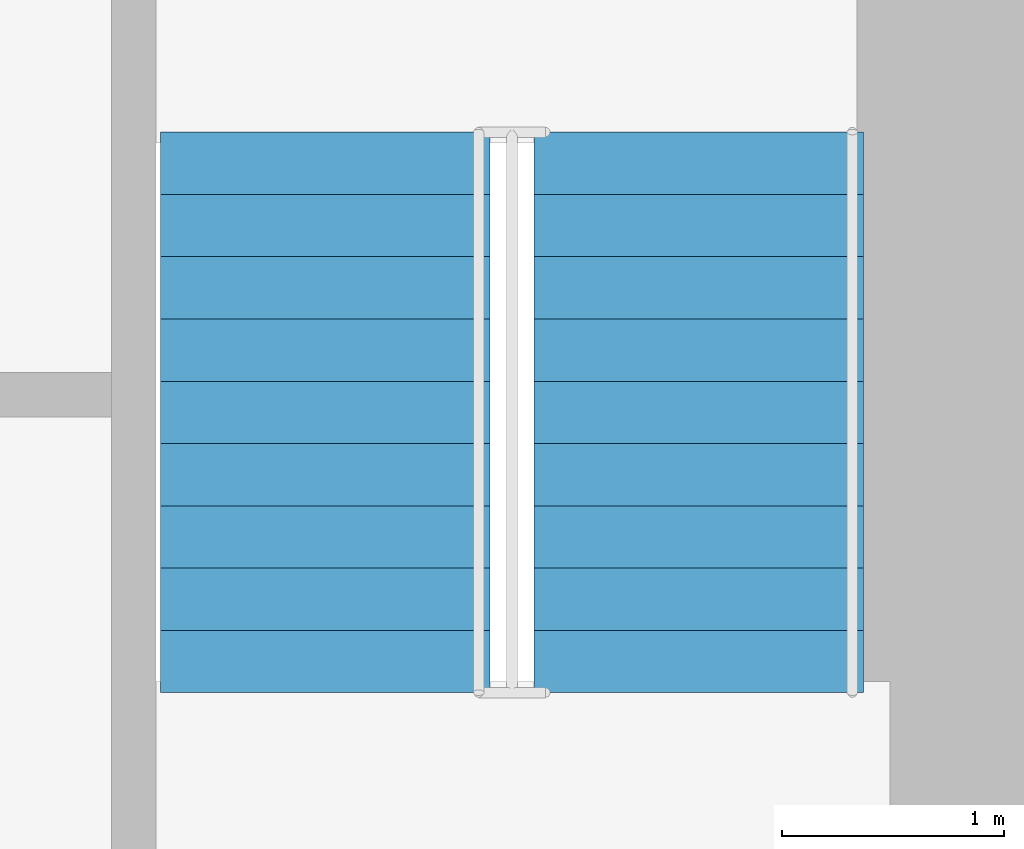
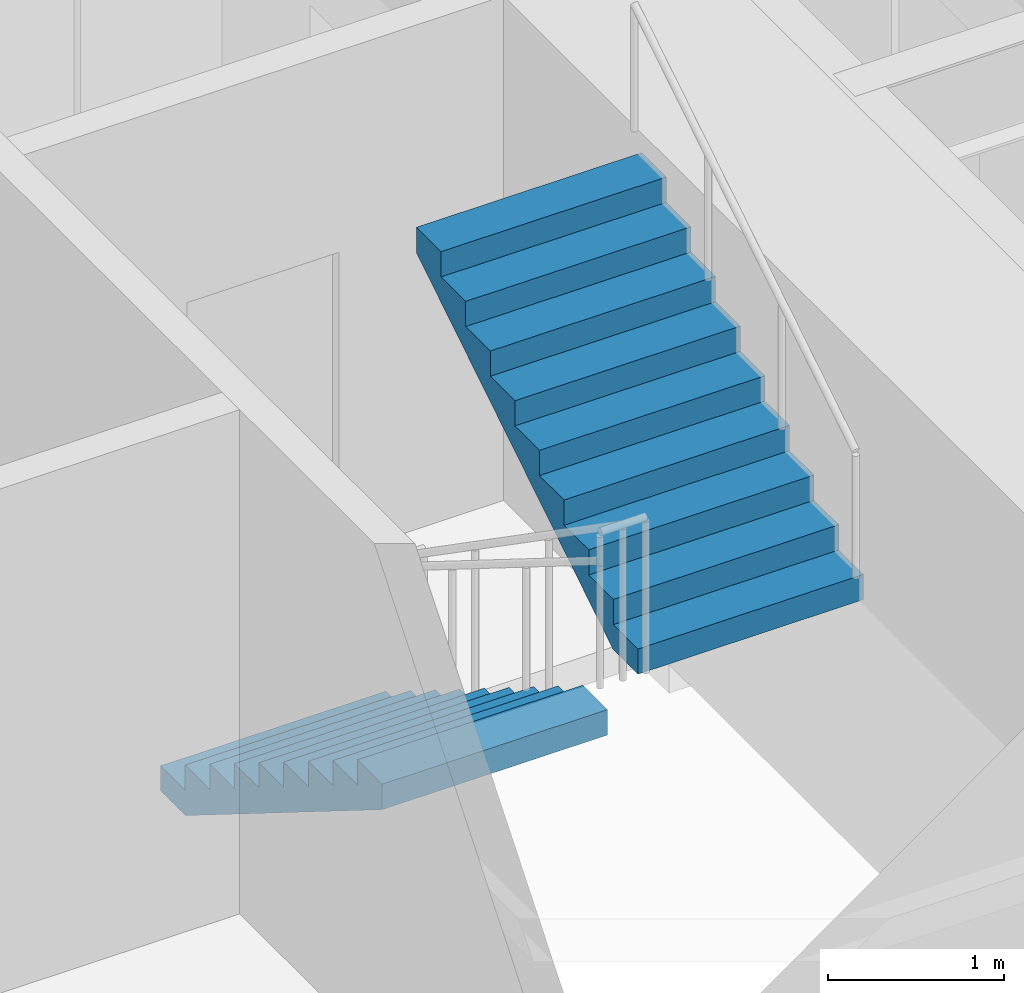
# One storey, part 9 of 12: 2 stair flights, 1 element without a shape of its own.
"""IFC4 building model written with IfcOpenShell, lengths in metres."""

from ifc_helpers import new_model, si_unit, direction, frame, origin, place, context, subcontext, project, spatial, polyline, outline, extrude, material, constituent, constituent_set, type_object, element, aggregate, save


model = new_model("IFC4")

# Units and contexts
model_context = context("Model", 3, precision=1e-05, world=origin(), true_north=direction((0.0, 1.0)))
body_context = subcontext(model_context, "Body", "Model", "MODEL_VIEW")
ifc_project = project(units=[si_unit("LENGTHUNIT", "METRE"), si_unit("AREAUNIT", "SQUARE_METRE"), si_unit("VOLUMEUNIT", "CUBIC_METRE"), si_unit("PLANEANGLEUNIT", "RADIAN"), si_unit("MASSUNIT", "GRAM", prefix="KILO")], contexts=[model_context])

# Site, building, storey
site_placement = place(None, origin())
site = spatial("IfcSite", under=ifc_project, at=site_placement, CompositionType="ELEMENT")
building_placement = place(site_placement, origin())
building = spatial("IfcBuilding", under=site, at=building_placement, Name="Iwan Alto Co-Living Towers", CompositionType="ELEMENT")
storey_placement = place(building_placement, frame((0.0, 0.0, 153.0)))
storey = spatial("IfcBuildingStorey", under=building, at=storey_placement, Name="L41", CompositionType="ELEMENT", Elevation=153.0)

# Stair, stair flights
ifc_material_1 = material(Name="Steel ASTM A36", Category="steel")
ifc_constituent_1 = constituent(ifc_material_1, Name="Stringers", Category="LoadBearing")
ifc_material_2 = material(Name="Concrete f'c 30 MPa", Category="concrete")
ifc_constituent_2 = constituent(ifc_material_2, Name="Tread fill", Category="Finish")
ifc_constituent_set_1 = constituent_set(constituents=[ifc_constituent_1, ifc_constituent_2], Name="STAIR 3500 TWO-FLIGHT T1 CORE")
stair_type = type_object("IfcStairType", Name="STAIR 3500 TWO-FLIGHT T1 CORE", PredefinedType="HALF_TURN_STAIR", material=ifc_constituent_set_1)
stair_placement = place(storey_placement, origin())
stair = element("IfcStair", 1, at=stair_placement, inside=storey, type_object=stair_type, Name="Stair T1-S2 L41 to L42", PredefinedType="HALF_TURN_STAIR")
ifc_constituent_3 = constituent(ifc_material_1, Name="Stringers", Category="LoadBearing")
ifc_constituent_4 = constituent(ifc_material_2, Name="Tread fill", Category="Finish")
ifc_constituent_set_2 = constituent_set(constituents=[ifc_constituent_3, ifc_constituent_4], Name="STAIR FLIGHT 10 RISERS 280 GOING")
stair_flight_type = type_object("IfcStairFlightType", Name="STAIR FLIGHT 10 RISERS 280 GOING", PredefinedType="STRAIGHT", material=ifc_constituent_set_2)
stair_flight_1_placement = place(storey_placement, frame((6.010009765625, -3.219970703125, 0.0), z_axis=(0.0, 0.0, 1.0), x_axis=(0.0, -1.0, 0.0)))
stair_flight_1 = element("IfcStairFlight", 2, at=stair_flight_1_placement, type_object=stair_flight_type, Name="T1-S2 flight 1", NumberOfRisers=10, NumberOfTreads=9, PredefinedType="STRAIGHT", RiserHeight=0.175, TreadLength=0.28, context=body_context, shape_type="SweptSolid", body=[
    extrude(outline(polyline([(0.0, 0.0), (0.0, 0.175048828125), (0.280029296875, 0.175048828125), (0.280029296875, 0.35009765625), (0.56005859375, 0.35009765625), (0.56005859375, 0.52490234375), (0.840087890625, 0.52490234375), (0.840087890625, 0.699951171875), (1.1201171875, 0.699951171875), (1.1201171875, 0.875), (1.39990234375, 0.875), (1.39990234375, 1.050048828125), (1.679931640625, 1.050048828125), (1.679931640625, 1.22509765625), (1.9599609375, 1.22509765625), (1.9599609375, 1.39990234375), (2.239990234375, 1.39990234375), (2.239990234375, 1.574951171875), (2.52001953125, 1.574951171875), (2.52001953125, 1.75), (2.52001953125, 1.398193359375), (0.28271484375, 0.0), (0.0, 0.0)])), frame((0.0, 0.739990234375, 0.0), z_axis=(0.0, -1.0, 0.0), x_axis=(1.0, 0.0, 0.0)), (0.0, 0.0, 1.0), 1.47998046875),
])
stair_flight_2_placement = place(storey_placement, frame((7.68994140625, -5.739990234375, 1.75), z_axis=(0.0, 0.0, 1.0), x_axis=(0.0, 1.0, 0.0)))
stair_flight_2 = element("IfcStairFlight", 3, at=stair_flight_2_placement, type_object=stair_flight_type, Name="T1-S2 flight 2", NumberOfRisers=10, NumberOfTreads=9, PredefinedType="STRAIGHT", RiserHeight=0.175, TreadLength=0.28, context=body_context, shape_type="SweptSolid", body=[
    extrude(outline(polyline([(0.0, 0.0), (0.0, 0.175048828125), (0.280029296875, 0.175048828125), (0.280029296875, 0.35009765625), (0.56005859375, 0.35009765625), (0.56005859375, 0.52490234375), (0.840087890625, 0.52490234375), (0.840087890625, 0.699951171875), (1.1201171875, 0.699951171875), (1.1201171875, 0.875), (1.39990234375, 0.875), (1.39990234375, 1.050048828125), (1.679931640625, 1.050048828125), (1.679931640625, 1.22509765625), (1.9599609375, 1.22509765625), (1.9599609375, 1.39990234375), (2.239990234375, 1.39990234375), (2.239990234375, 1.574951171875), (2.52001953125, 1.574951171875), (2.52001953125, 1.75), (2.52001953125, 1.398193359375), (0.28271484375, 0.0), (0.0, 0.0)])), frame((0.0, 0.739990234375, 0.0), z_axis=(0.0, -1.0, 0.0), x_axis=(1.0, 0.0, 0.0)), (0.0, 0.0, 1.0), 1.47998046875),
])
aggregate(stair, [stair_flight_1, stair_flight_2])

save(model, "model.ifc")
